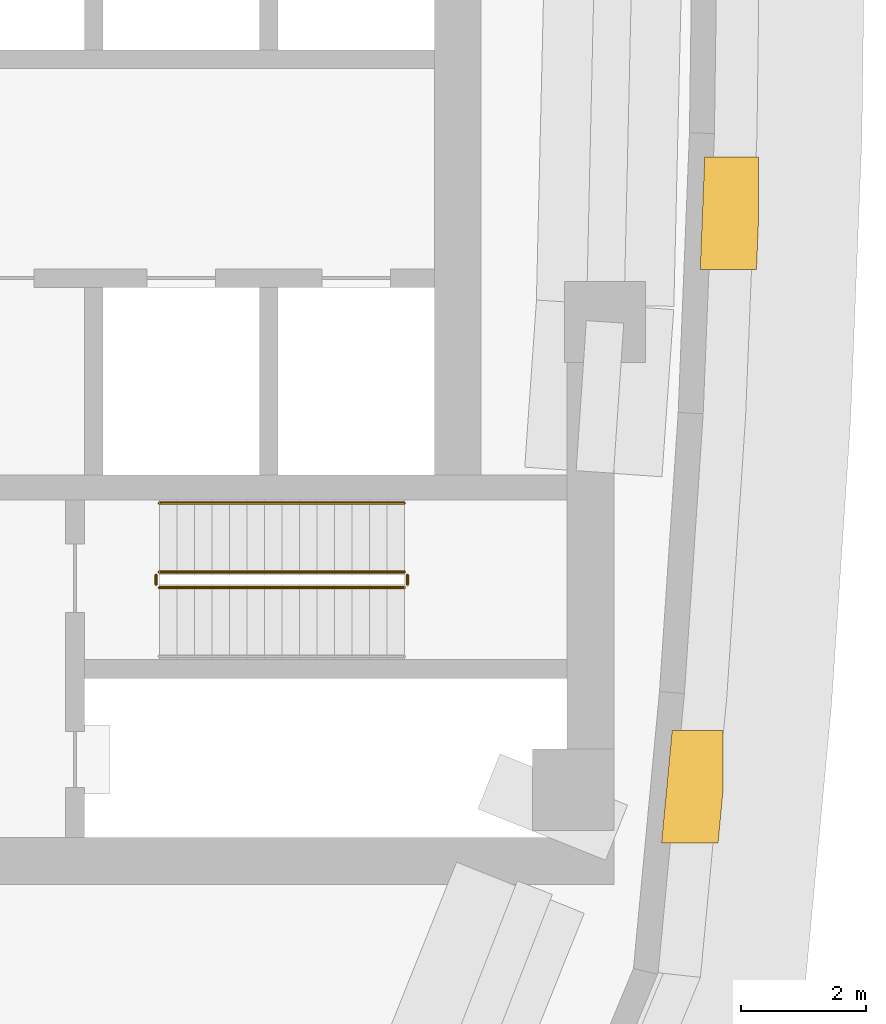
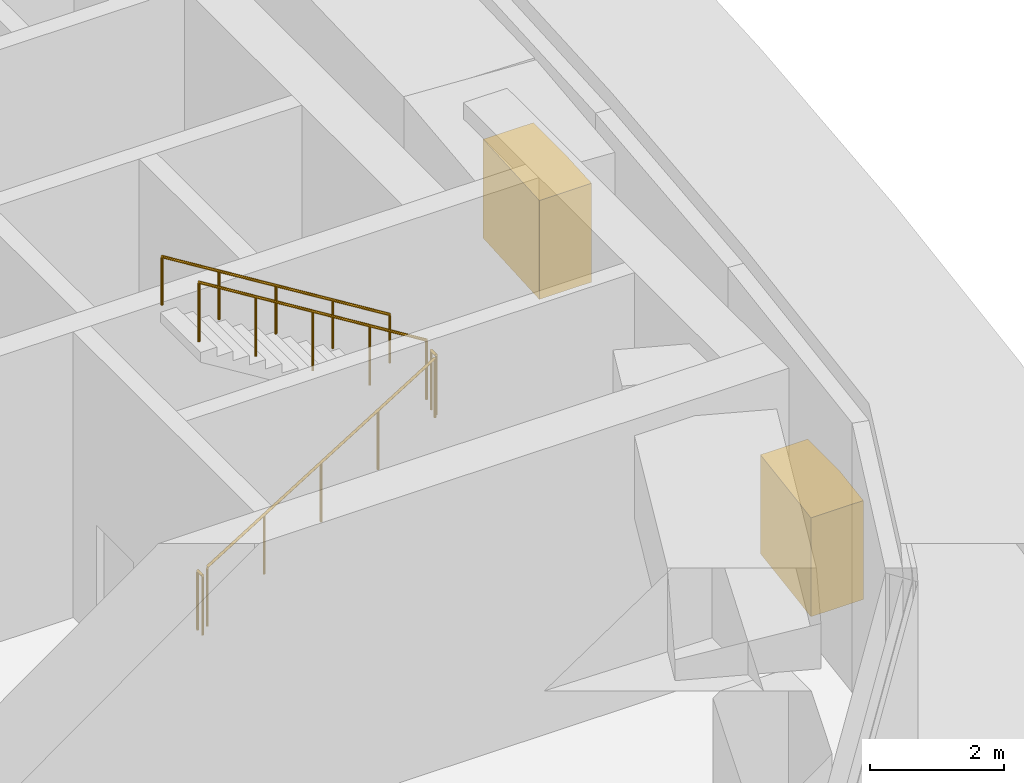
# One storey, part 15 of 17: 5 railings, 2 coverings.
"""IFC4 building model written with IfcOpenShell, lengths in metres."""

from ifc_helpers import new_model, si_unit, direction, frame, origin, origin_2d, place, context, subcontext, project, spatial, polyline, circle, outline, extrude, material, layer, layer_set, type_object, element, save


model = new_model("IFC4")

# Units and contexts
model_context = context("Model", 3, precision=1e-05, world=origin(), true_north=direction((0.0, 1.0)))
body_context = subcontext(model_context, "Body", "Model", "MODEL_VIEW")
ifc_project = project(units=[si_unit("LENGTHUNIT", "METRE"), si_unit("AREAUNIT", "SQUARE_METRE"), si_unit("VOLUMEUNIT", "CUBIC_METRE"), si_unit("PLANEANGLEUNIT", "RADIAN"), si_unit("MASSUNIT", "GRAM", prefix="KILO")], contexts=[model_context])

# Site, building, storey
site_placement = place(None, origin())
site = spatial("IfcSite", under=ifc_project, at=site_placement, CompositionType="ELEMENT")
building_placement = place(site_placement, origin())
building = spatial("IfcBuilding", under=site, at=building_placement, Name="Ostrand Prow Hotel Tower", CompositionType="ELEMENT")
storey_placement = place(building_placement, frame((0.0, 0.0, 211.0)))
storey = spatial("IfcBuildingStorey", under=building, at=storey_placement, Name="L53", CompositionType="ELEMENT", Elevation=211.0)

# Coverings
ifc_material_1 = material(Name="Limestone cladding", Category="masonry")
ifc_layer = layer(ifc_material_1, 2.0)
ifc_layer_set = layer_set([ifc_layer], Name="Limestone cladding")
covering_type = type_object("IfcCoveringType", Name="Belt lip limestone", PredefinedType="CLADDING", material=ifc_layer_set)
covering_1_placement = place(storey_placement, origin())
element("IfcCovering", 1, at=covering_1_placement, inside=storey, type_object=covering_type, Name="Belt fin 9 L53", PredefinedType="CLADDING", context=body_context, shape_type="SweptSolid", body=[
    extrude(outline(polyline([(66.138671875, -15.83251953125), (66.21923828125, -14.974609375), (66.21923828125, -14.032470703125), (65.40380859375, -14.032470703125), (65.234619140625, -15.83251953125), (66.138671875, -15.83251953125)])), origin(), (0.0, 0.0, 1.0), 1.800048828125),
])
covering_2_placement = place(storey_placement, origin())
element("IfcCovering", 2, at=covering_2_placement, inside=storey, type_object=covering_type, Name="Belt fin 10 L53", PredefinedType="CLADDING", context=body_context, shape_type="SweptSolid", body=[
    extrude(outline(polyline([(66.7529296875, -6.6640625), (66.78857421875, -5.781982421875), (66.78857421875, -4.864013671875), (65.924560546875, -4.864013671875), (65.852294921875, -6.6640625), (66.7529296875, -6.6640625)])), origin(), (0.0, 0.0, 1.0), 1.800048828125),
])

# Railings
ifc_material_2 = material(Name="Painted steel", Category="steel")
railing_type_1 = type_object("IfcRailingType", Name="Stair guard 1100", PredefinedType="GUARDRAIL", material=ifc_material_2)
railing_1_placement = place(storey_placement, frame((57.199951171875, -11.75, 0.17333984375)))
element("IfcRailing", 3, at=railing_1_placement, inside=storey, type_object=railing_type_1, Name="L53 ST2C stair guard 1", PredefinedType="GUARDRAIL", context=body_context, shape_type="SweptSolid", body=[
    extrude(circle(Radius=0.02392578125, at=origin_2d()), frame((0.0, 0.0, 1.076171875), z_axis=(0.850266275192, 0.0, 0.526352791643), x_axis=(0.0, 1.0, 0.0)), (0.0, 0.0, 1.0), 4.610595703125),
    extrude(circle(Radius=0.02099609375, at=origin_2d()), origin(), (0.0, 0.0, 1.0), 1.052001953125),
    extrude(circle(Radius=0.02099609375, at=origin_2d()), frame((0.97998046875, 0.0, 0.606689453125)), (0.0, 0.0, 1.0), 1.052001953125),
    extrude(circle(Radius=0.02099609375, at=origin_2d()), frame((1.9599609375, 0.0, 1.21337890625)), (0.0, 0.0, 1.0), 1.052001953125),
    extrude(circle(Radius=0.02099609375, at=origin_2d()), frame((2.940185546875, 0.0, 1.820068359375)), (0.0, 0.0, 1.0), 1.052001953125),
    extrude(circle(Radius=0.02099609375, at=origin_2d()), frame((3.920166015625, 0.0, 2.4267578125)), (0.0, 0.0, 1.0), 1.052001953125),
])
railing_2_placement = place(storey_placement, frame((61.169921875, -11.699951171875, 2.60009765625)))
element("IfcRailing", 4, at=railing_2_placement, inside=storey, type_object=railing_type_1, Name="L53 ST2C stair guard 2", PredefinedType="GUARDRAIL", context=body_context, shape_type="SweptSolid", body=[
    extrude(circle(Radius=0.02392578125, at=origin_2d()), frame((0.0, 0.0, 1.076171875), z_axis=(0.0, 1.0, 0.0), x_axis=(-1.0, 0.0, 0.0)), (0.0, 0.0, 1.0), 0.14990234375),
    extrude(circle(Radius=0.02099609375, at=origin_2d()), origin(), (0.0, 0.0, 1.0), 1.052001953125),
    extrude(circle(Radius=0.02099609375, at=origin_2d()), frame((0.0, 0.14990234375, 0.0)), (0.0, 0.0, 1.0), 1.052001953125),
])
railing_3_placement = place(storey_placement, frame((61.1201171875, -11.5, 2.7734375)))
element("IfcRailing", 5, at=railing_3_placement, inside=storey, type_object=railing_type_1, Name="L53 ST2C stair guard 3", PredefinedType="GUARDRAIL", context=body_context, shape_type="SweptSolid", body=[
    extrude(circle(Radius=0.02392578125, at=origin_2d()), frame((0.0, 0.0, 1.076171875), z_axis=(-0.850289973577, 0.0, 0.526314507528), x_axis=(0.0, -1.0, 0.0)), (0.0, 0.0, 1.0), 4.6103515625),
    extrude(circle(Radius=0.02099609375, at=origin_2d()), origin(), (0.0, 0.0, 1.0), 1.052001953125),
    extrude(circle(Radius=0.02099609375, at=origin_2d()), frame((-0.97998046875, 0.0, 0.606689453125)), (0.0, 0.0, 1.0), 1.052001953125),
    extrude(circle(Radius=0.02099609375, at=origin_2d()), frame((-1.9599609375, 0.0, 1.21337890625)), (0.0, 0.0, 1.0), 1.052001953125),
    extrude(circle(Radius=0.02099609375, at=origin_2d()), frame((-2.940185546875, 0.0, 1.81982421875)), (0.0, 0.0, 1.0), 1.052001953125),
    extrude(circle(Radius=0.02099609375, at=origin_2d()), frame((-3.920166015625, 0.0, 2.426513671875)), (0.0, 0.0, 1.0), 1.052001953125),
])
railing_4_placement = place(storey_placement, frame((57.14990234375, -11.699951171875, 0.0)))
element("IfcRailing", 6, at=railing_4_placement, inside=storey, type_object=railing_type_1, Name="L53 ST2C stair guard 4", PredefinedType="GUARDRAIL", context=body_context, shape_type="SweptSolid", body=[
    extrude(circle(Radius=0.02392578125, at=origin_2d()), frame((0.0, 0.0, 1.076171875), z_axis=(0.0, 1.0, 0.0), x_axis=(-1.0, 0.0, 0.0)), (0.0, 0.0, 1.0), 0.14990234375),
    extrude(circle(Radius=0.02099609375, at=origin_2d()), origin(), (0.0, 0.0, 1.0), 1.052001953125),
    extrude(circle(Radius=0.02099609375, at=origin_2d()), frame((0.0, 0.14990234375, 0.0)), (0.0, 0.0, 1.0), 1.052001953125),
])
ifc_material_3 = material(Name="Stainless steel", Category="steel")
railing_type_2 = type_object("IfcRailingType", Name="Stair handrail 900", PredefinedType="HANDRAIL", material=ifc_material_3)
railing_5_placement = place(storey_placement, frame((61.1201171875, -10.39990234375, 2.7734375)))
element("IfcRailing", 7, at=railing_5_placement, inside=storey, type_object=railing_type_2, Name="L53 ST2C stair handrail 2", PredefinedType="HANDRAIL", context=body_context, shape_type="SweptSolid", body=[
    extrude(circle(Radius=0.02392578125, at=origin_2d()), frame((0.0, 0.0, 0.8759765625), z_axis=(-0.850289973577, 0.0, 0.526314507528), x_axis=(0.0, -1.0, 0.0)), (0.0, 0.0, 1.0), 4.6103515625),
    extrude(circle(Radius=0.02099609375, at=origin_2d()), origin(), (0.0, 0.0, 1.0), 0.851806640625),
    extrude(circle(Radius=0.02099609375, at=origin_2d()), frame((-0.97998046875, 0.0, 0.606689453125)), (0.0, 0.0, 1.0), 0.851806640625),
    extrude(circle(Radius=0.02099609375, at=origin_2d()), frame((-1.9599609375, 0.0, 1.21337890625)), (0.0, 0.0, 1.0), 0.851806640625),
    extrude(circle(Radius=0.02099609375, at=origin_2d()), frame((-2.940185546875, 0.0, 1.81982421875)), (0.0, 0.0, 1.0), 0.851806640625),
    extrude(circle(Radius=0.02099609375, at=origin_2d()), frame((-3.920166015625, 0.0, 2.426513671875)), (0.0, 0.0, 1.0), 0.851806640625),
])

save(model, "model.ifc")
